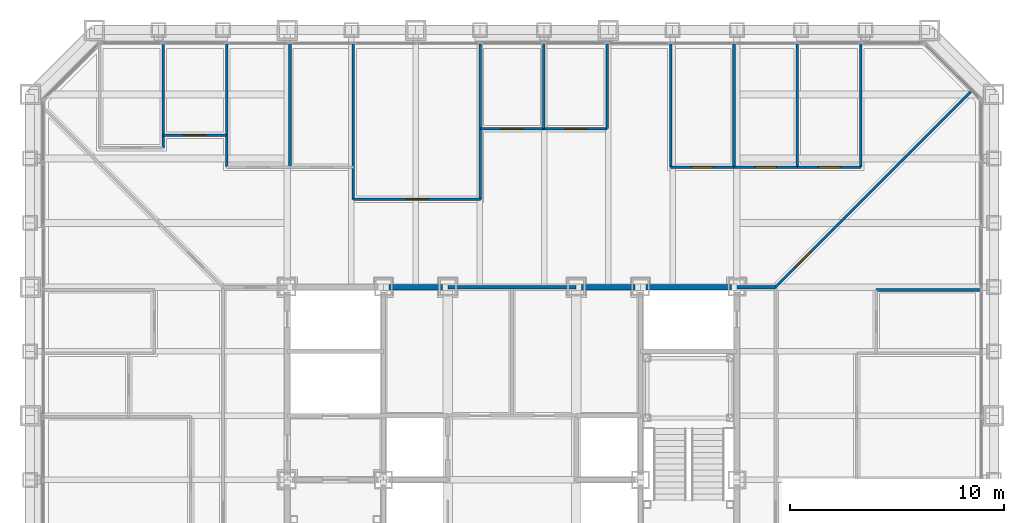
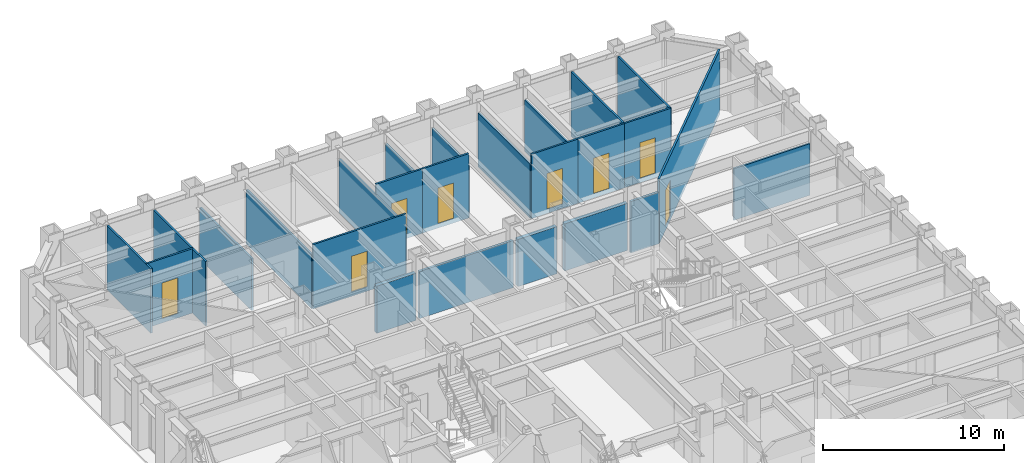
# One storey, part 11 of 17: 25 walls, 8 doors, 8 openings.
"""IFC4 building model written with IfcOpenShell, lengths in metres."""

from ifc_helpers import new_model, si_unit, direction, frame, frame_2d, origin, place, context, subcontext, project, spatial, rectangle, extrude, material, layer, layer_set, type_object, element, fill, save


model = new_model("IFC4")

# Units and contexts
model_context = context("Model", 3, precision=1e-05, world=origin(), true_north=direction((0.0, 1.0)))
body_context = subcontext(model_context, "Body", "Model", "MODEL_VIEW")
ifc_project = project(units=[si_unit("LENGTHUNIT", "METRE"), si_unit("AREAUNIT", "SQUARE_METRE"), si_unit("VOLUMEUNIT", "CUBIC_METRE"), si_unit("PLANEANGLEUNIT", "RADIAN"), si_unit("MASSUNIT", "GRAM", prefix="KILO")], contexts=[model_context])

# Site, building, storey
site_placement = place(None, origin())
site = spatial("IfcSite", under=ifc_project, at=site_placement, CompositionType="ELEMENT")
building_placement = place(site_placement, origin())
building = spatial("IfcBuilding", under=site, at=building_placement, Name="Chuquiago Exchange Tower", CompositionType="ELEMENT")
storey_placement = place(building_placement, frame((0.0, 0.0, 46.800048828125)))
storey = spatial("IfcBuildingStorey", under=building, at=storey_placement, Name="L09", CompositionType="ELEMENT", Elevation=46.800048828125)

# Walls
ifc_material_1 = material(Name="Concrete masonry, fully grouted", Category="masonry")
ifc_layer_1 = layer(ifc_material_1, 0.25)
ifc_layer_set_1 = layer_set([ifc_layer_1], Name="W1 core wall 250")
wall_type_1 = type_object("IfcWallType", Name="W1 core wall 250", PredefinedType="SOLIDWALL", material=ifc_layer_set_1)
for number, where, z_axis, x_axis, name in (
    (1, (16.75, 33.0, 0.0), (0.0, 0.0, 1.0), (1.0, 0.0, 0.0), "CW-L09-11-1"),
    (2, (25.75, 33.0, 0.0), (0.0, 0.0, 1.0), (1.0, 0.0, 0.0), "CW-L09-12-0"),
):
    element("IfcWall", number, at=place(storey_placement, frame(where, z_axis=z_axis, x_axis=x_axis)), inside=storey, type_object=wall_type_1, Name=name, PredefinedType="SOLIDWALL", context=body_context, shape_type="SweptSolid", body=[
        extrude(rectangle(XDim=2.5, YDim=0.25, at=frame_2d((1.25, 0.0))), origin(), (0.0, 0.0, 1.0), 3.181396484375),
    ])
wall_1_placement = place(storey_placement, frame((28.75, 33.0, 0.0), z_axis=(0.0, 0.0, 1.0), x_axis=(1.0, 0.0, 0.0)))
element("IfcWall", 3, at=wall_1_placement, inside=storey, type_object=wall_type_1, Name="CW-L09-12-1", PredefinedType="SOLIDWALL", context=body_context, shape_type="SweptSolid", body=[
    extrude(rectangle(XDim=4.0, YDim=0.25, at=frame_2d((2.0, 0.0))), origin(), (0.0, 0.0, 1.0), 3.181396484375),
])
ifc_material_2 = material(Name="Gypsum board on steel studs, acoustic insulation", Category="steel")
ifc_layer_2 = layer(ifc_material_2, 0.14990234375)
ifc_layer_set_2 = layer_set([ifc_layer_2], Name="W11 corridor wall 150")
wall_type_2 = type_object("IfcWallType", Name="W11 corridor wall 150", PredefinedType="PARTITIONING", material=ifc_layer_set_2)
wall_2_placement = place(storey_placement, frame((33.0, 33.0, -0.300048828125), z_axis=(0.0, 0.0, 1.0), x_axis=(1.0, 0.0, 0.0)))
element("IfcWall", 4, at=wall_2_placement, inside=storey, type_object=wall_type_2, Name="PW-L09-GEN0", PredefinedType="PARTITIONING", context=body_context, shape_type="SweptSolid", body=[
    extrude(rectangle(XDim=1.800048828125, YDim=0.14990234375, at=frame_2d((0.89990234375, 0.0))), origin(), (0.0, 0.0, 1.0), 3.4814453125),
])
ifc_material_3 = material(Name="Gypsum board on steel studs", Category="steel")
ifc_layer_3 = layer(ifc_material_3, 0.14990234375)
ifc_layer_set_3 = layer_set([ifc_layer_3], Name="W3 core partition 150")
wall_type_3 = type_object("IfcWallType", Name="W3 core partition 150", PredefinedType="PARTITIONING", material=ifc_layer_set_3)
wall_3_placement = place(storey_placement, frame((19.5, 33.0, 0.0), z_axis=(0.0, 0.0, 1.0), x_axis=(1.0, 0.0, 0.0)))
element("IfcWall", 5, at=wall_3_placement, inside=storey, type_object=wall_type_3, Name="CW-L09-TB", PredefinedType="PARTITIONING", context=body_context, shape_type="SweptSolid", body=[
    extrude(rectangle(XDim=6.0, YDim=0.14990234375, at=frame_2d((3.0, 0.0))), origin(), (0.0, 0.0, 1.0), 3.181396484375),
])
ifc_material_4 = material(Name="Gypsum board on steel studs", Category="steel")
ifc_layer_4 = layer(ifc_material_4, 0.1201171875)
ifc_layer_set_4 = layer_set([ifc_layer_4], Name="W4 partition 120")
wall_type_4 = type_object("IfcWallType", Name="W4 partition 120", PredefinedType="PARTITIONING", material=ifc_layer_set_4)
wall_4_placement = place(storey_placement, frame((44.342529296875, 32.8662109375, -0.300048828125), z_axis=(0.0, 0.0, 1.0), x_axis=(-1.0, 0.0, 0.0)))
element("IfcWall", 6, at=wall_4_placement, inside=storey, type_object=wall_type_4, Name="PW-L09-E03287", PredefinedType="PARTITIONING", context=body_context, shape_type="SweptSolid", body=[
    extrude(rectangle(XDim=4.842529296875, YDim=0.1201171875, at=frame_2d((2.42138671875, 0.0))), origin(), (0.0, 0.0, 1.0), 3.4814453125),
])
wall_5_placement = place(storey_placement, frame((6.210205078125, 44.342529296875, -0.300048828125), z_axis=(0.0, 0.0, 1.0), x_axis=(0.0, -1.0, 0.0)))
element("IfcWall", 7, at=wall_5_placement, inside=storey, type_object=wall_type_4, Name="PW-L09-N00621", PredefinedType="PARTITIONING", context=body_context, shape_type="SweptSolid", body=[
    extrude(rectangle(XDim=4.842529296875, YDim=0.1201171875, at=frame_2d((2.42138671875, 0.0))), origin(), (0.0, 0.0, 1.0), 4.340087890625),
])
wall_6_placement = place(storey_placement, frame((9.172119140625, 44.342529296875, -0.300048828125), z_axis=(0.0, 0.0, 1.0), x_axis=(0.0, -1.0, 0.0)))
element("IfcWall", 8, at=wall_6_placement, inside=storey, type_object=wall_type_4, Name="PW-L09-N00917", PredefinedType="PARTITIONING", context=body_context, shape_type="SweptSolid", body=[
    extrude(rectangle(XDim=5.742431640625, YDim=0.1201171875, at=frame_2d((2.87109375, 0.0))), origin(), (0.0, 0.0, 1.0), 4.340087890625),
])
wall_7_placement = place(storey_placement, frame((12.1337890625, 44.342529296875, -0.300048828125), z_axis=(0.0, 0.0, 1.0), x_axis=(0.0, -1.0, 0.0)))
element("IfcWall", 9, at=wall_7_placement, inside=storey, type_object=wall_type_4, Name="PW-L09-N01213", PredefinedType="PARTITIONING", context=body_context, shape_type="SweptSolid", body=[
    extrude(rectangle(XDim=5.742431640625, YDim=0.1201171875, at=frame_2d((2.87109375, 0.0))), origin(), (0.0, 0.0, 1.0), 3.4814453125),
])
for number, where, z_axis, x_axis, name in (
    (10, (15.095703125, 44.342529296875, -0.300048828125), (0.0, 0.0, 1.0), (0.0, -1.0, 0.0), "PW-L09-N01510"),
    (11, (21.01904296875, 44.342529296875, -0.300048828125), (0.0, 0.0, 1.0), (0.0, -1.0, 0.0), "PW-L09-N02102"),
):
    element("IfcWall", number, at=place(storey_placement, frame(where, z_axis=z_axis, x_axis=x_axis)), inside=storey, type_object=wall_type_4, Name=name, PredefinedType="PARTITIONING", context=body_context, shape_type="SweptSolid", body=[
        extrude(rectangle(XDim=7.242431640625, YDim=0.1201171875, at=frame_2d((3.62109375, 0.0))), origin(), (0.0, 0.0, 1.0), 3.646484375),
    ])
for number, where, z_axis, x_axis, name in (
    (12, (23.98095703125, 44.342529296875, -0.300048828125), (0.0, 0.0, 1.0), (0.0, -1.0, 0.0), "PW-L09-N02398"),
    (13, (26.942626953125, 44.342529296875, -0.300048828125), (0.0, 0.0, 1.0), (0.0, -1.0, 0.0), "PW-L09-N02694"),
):
    element("IfcWall", number, at=place(storey_placement, frame(where, z_axis=z_axis, x_axis=x_axis)), inside=storey, type_object=wall_type_4, Name=name, PredefinedType="PARTITIONING", context=body_context, shape_type="SweptSolid", body=[
        extrude(rectangle(XDim=3.942626953125, YDim=0.1201171875, at=frame_2d((1.97119140625, 0.0))), origin(), (0.0, 0.0, 1.0), 3.646484375),
    ])
wall_8_placement = place(storey_placement, frame((29.904296875, 44.342529296875, -0.300048828125), z_axis=(0.0, 0.0, 1.0), x_axis=(0.0, -1.0, 0.0)))
element("IfcWall", 14, at=wall_8_placement, inside=storey, type_object=wall_type_4, Name="PW-L09-N02990", PredefinedType="PARTITIONING", context=body_context, shape_type="SweptSolid", body=[
    extrude(rectangle(XDim=5.742431640625, YDim=0.1201171875, at=frame_2d((2.87109375, 0.0))), origin(), (0.0, 0.0, 1.0), 3.646484375),
])
wall_9_placement = place(storey_placement, frame((32.8662109375, 44.342529296875, -0.300048828125), z_axis=(0.0, 0.0, 1.0), x_axis=(0.0, -1.0, 0.0)))
element("IfcWall", 15, at=wall_9_placement, inside=storey, type_object=wall_type_4, Name="PW-L09-N03287", PredefinedType="PARTITIONING", context=body_context, shape_type="SweptSolid", body=[
    extrude(rectangle(XDim=5.742431640625, YDim=0.1201171875, at=frame_2d((2.87109375, 0.0))), origin(), (0.0, 0.0, 1.0), 3.4814453125),
])
for number, where, z_axis, x_axis, name in (
    (16, (35.827880859375, 44.342529296875, -0.300048828125), (0.0, 0.0, 1.0), (0.0, -1.0, 0.0), "PW-L09-N03583"),
    (17, (38.789794921875, 44.342529296875, -0.300048828125), (0.0, 0.0, 1.0), (0.0, -1.0, 0.0), "PW-L09-N03879"),
):
    element("IfcWall", number, at=place(storey_placement, frame(where, z_axis=z_axis, x_axis=x_axis)), inside=storey, type_object=wall_type_4, Name=name, PredefinedType="PARTITIONING", context=body_context, shape_type="SweptSolid", body=[
        extrude(rectangle(XDim=5.742431640625, YDim=0.1201171875, at=frame_2d((2.87109375, 0.0))), origin(), (0.0, 0.0, 1.0), 4.340087890625),
    ])

# Wall, opening, door
wall_10_placement = place(storey_placement, frame((6.210205078125, 40.10009765625, -0.300048828125), z_axis=(0.0, 0.0, 1.0), x_axis=(1.0, 0.0, 0.0)))
wall_10 = element("IfcWall", 18, at=wall_10_placement, inside=storey, type_object=wall_type_4, Name="PW-L09-NF00621", PredefinedType="PARTITIONING", context=body_context, shape_type="SweptSolid", body=[
    extrude(rectangle(XDim=2.9619140625, YDim=0.1201171875, at=frame_2d((1.48095703125, 0.0))), origin(), (0.0, 0.0, 1.0), 4.340087890625),
])
opening_1_placement = place(wall_10_placement, frame((0.98095703125, 0.0, 0.300048828125)))
opening_1 = element("IfcOpeningElement", 19, at=opening_1_placement, cuts=wall_10, Name="Opening L09-035", PredefinedType="OPENING", context=body_context, shape_type="SweptSolid", body=[
    extrude(rectangle(XDim=1.0, YDim=2.39990234375, at=frame_2d((0.5, 1.199951171875))), frame((0.0, 0.070068359375, 0.0), z_axis=(0.0, -1.0, 0.0), x_axis=(1.0, 0.0, 0.0)), (0.0, 0.0, 1.0), 0.14013671875),
])
ifc_material_5 = material(Name="Timber door, laminate faced", Category="wood")
door_type_1 = type_object("IfcDoorType", Name="D9 room door 1000x2400", OperationType="SINGLE_SWING_LEFT", PredefinedType="DOOR", material=ifc_material_5)
door_1_placement = place(opening_1_placement, origin())
door_1 = element("IfcDoor", 20, at=door_1_placement, inside=storey, type_object=door_type_1, Name="Store door", OperationType="SINGLE_SWING_LEFT", OverallHeight=2.39990234375, OverallWidth=1.0, PredefinedType="DOOR", context=body_context, shape_type="SweptSolid", body=[
    extrude(rectangle(XDim=1.0, YDim=2.39990234375, at=frame_2d((0.5, 1.199951171875))), frame((0.0, 0.02490234375, 0.0), z_axis=(0.0, -1.0, 0.0), x_axis=(1.0, 0.0, 0.0)), (0.0, 0.0, 1.0), 0.050048828125),
])
fill(opening_1, door_1)

wall_11_placement = place(storey_placement, frame((15.095703125, 37.10009765625, -0.300048828125), z_axis=(0.0, 0.0, 1.0), x_axis=(1.0, 0.0, 0.0)))
wall_11 = element("IfcWall", 21, at=wall_11_placement, inside=storey, type_object=wall_type_4, Name="PW-L09-NF01510", PredefinedType="PARTITIONING", context=body_context, shape_type="SweptSolid", body=[
    extrude(rectangle(XDim=5.92333984375, YDim=0.1201171875, at=frame_2d((2.961669921875, 0.0))), origin(), (0.0, 0.0, 1.0), 4.340087890625),
])
opening_2_placement = place(wall_11_placement, frame((2.4619140625, 0.0, 0.300048828125)))
opening_2 = element("IfcOpeningElement", 22, at=opening_2_placement, cuts=wall_11, Name="Opening L09-038", PredefinedType="OPENING", context=body_context, shape_type="SweptSolid", body=[
    extrude(rectangle(XDim=1.0, YDim=2.39990234375, at=frame_2d((0.5, 1.199951171875))), frame((0.0, 0.070068359375, 0.0), z_axis=(0.0, -1.0, 0.0), x_axis=(1.0, 0.0, 0.0)), (0.0, 0.0, 1.0), 0.14013671875),
])
door_2_placement = place(opening_2_placement, origin())
door_2 = element("IfcDoor", 23, at=door_2_placement, inside=storey, type_object=door_type_1, Name="Research office door", OperationType="SINGLE_SWING_RIGHT", OverallHeight=2.39990234375, OverallWidth=1.0, PredefinedType="DOOR", context=body_context, shape_type="SweptSolid", body=[
    extrude(rectangle(XDim=1.0, YDim=2.39990234375, at=frame_2d((0.5, 1.199951171875))), frame((0.0, 0.02490234375, 0.0), z_axis=(0.0, -1.0, 0.0), x_axis=(1.0, 0.0, 0.0)), (0.0, 0.0, 1.0), 0.050048828125),
])
fill(opening_2, door_2)

wall_12_placement = place(storey_placement, frame((21.01904296875, 40.39990234375, -0.300048828125), z_axis=(0.0, 0.0, 1.0), x_axis=(1.0, 0.0, 0.0)))
wall_12 = element("IfcWall", 24, at=wall_12_placement, inside=storey, type_object=wall_type_4, Name="PW-L09-NF02102", PredefinedType="PARTITIONING", context=body_context, shape_type="SweptSolid", body=[
    extrude(rectangle(XDim=2.9619140625, YDim=0.1201171875, at=frame_2d((1.48095703125, 0.0))), origin(), (0.0, 0.0, 1.0), 4.340087890625),
])
opening_3_placement = place(wall_12_placement, frame((0.98095703125, 0.0, 0.300048828125)))
opening_3 = element("IfcOpeningElement", 25, at=opening_3_placement, cuts=wall_12, Name="Opening L09-039", PredefinedType="OPENING", context=body_context, shape_type="SweptSolid", body=[
    extrude(rectangle(XDim=1.0, YDim=2.39990234375, at=frame_2d((0.5, 1.199951171875))), frame((0.0, 0.070068359375, 0.0), z_axis=(0.0, -1.0, 0.0), x_axis=(1.0, 0.0, 0.0)), (0.0, 0.0, 1.0), 0.14013671875),
])
ifc_material_6 = material(Name="Timber frame door, full height glazed panel", Category="wood")
door_type_2 = type_object("IfcDoorType", Name="D14 glazed meeting room door 1000x2400", OperationType="SINGLE_SWING_LEFT", PredefinedType="DOOR", material=ifc_material_6)
door_3_placement = place(opening_3_placement, origin())
door_3 = element("IfcDoor", 26, at=door_3_placement, inside=storey, type_object=door_type_2, Name="Focus room door", OperationType="SINGLE_SWING_RIGHT", OverallHeight=2.39990234375, OverallWidth=1.0, PredefinedType="DOOR", context=body_context, shape_type="SweptSolid", body=[
    extrude(rectangle(XDim=1.0, YDim=2.39990234375, at=frame_2d((0.5, 1.199951171875))), frame((0.0, 0.02490234375, 0.0), z_axis=(0.0, -1.0, 0.0), x_axis=(1.0, 0.0, 0.0)), (0.0, 0.0, 1.0), 0.050048828125),
])
fill(opening_3, door_3)

wall_13_placement = place(storey_placement, frame((23.98095703125, 40.39990234375, -0.300048828125), z_axis=(0.0, 0.0, 1.0), x_axis=(1.0, 0.0, 0.0)))
wall_13 = element("IfcWall", 27, at=wall_13_placement, inside=storey, type_object=wall_type_4, Name="PW-L09-NF02398", PredefinedType="PARTITIONING", context=body_context, shape_type="SweptSolid", body=[
    extrude(rectangle(XDim=2.961669921875, YDim=0.1201171875, at=frame_2d((1.48095703125, 0.0))), origin(), (0.0, 0.0, 1.0), 4.340087890625),
])
opening_4_placement = place(wall_13_placement, frame((0.98095703125, 0.0, 0.300048828125)))
opening_4 = element("IfcOpeningElement", 28, at=opening_4_placement, cuts=wall_13, Name="Opening L09-040", PredefinedType="OPENING", context=body_context, shape_type="SweptSolid", body=[
    extrude(rectangle(XDim=1.0, YDim=2.39990234375, at=frame_2d((0.5, 1.199951171875))), frame((0.0, 0.070068359375, 0.0), z_axis=(0.0, -1.0, 0.0), x_axis=(1.0, 0.0, 0.0)), (0.0, 0.0, 1.0), 0.14013671875),
])
door_4_placement = place(opening_4_placement, origin())
door_4 = element("IfcDoor", 29, at=door_4_placement, inside=storey, type_object=door_type_2, Name="Focus room door", OperationType="SINGLE_SWING_RIGHT", OverallHeight=2.39990234375, OverallWidth=1.0, PredefinedType="DOOR", context=body_context, shape_type="SweptSolid", body=[
    extrude(rectangle(XDim=1.0, YDim=2.39990234375, at=frame_2d((0.5, 1.199951171875))), frame((0.0, 0.02490234375, 0.0), z_axis=(0.0, -1.0, 0.0), x_axis=(1.0, 0.0, 0.0)), (0.0, 0.0, 1.0), 0.050048828125),
])
fill(opening_4, door_4)

wall_14_placement = place(storey_placement, frame((29.904296875, 38.60009765625, -0.300048828125), z_axis=(0.0, 0.0, 1.0), x_axis=(1.0, 0.0, 0.0)))
wall_14 = element("IfcWall", 30, at=wall_14_placement, inside=storey, type_object=wall_type_4, Name="PW-L09-NF02990", PredefinedType="PARTITIONING", context=body_context, shape_type="SweptSolid", body=[
    extrude(rectangle(XDim=2.9619140625, YDim=0.1201171875, at=frame_2d((1.48095703125, 0.0))), origin(), (0.0, 0.0, 1.0), 4.340087890625),
])
opening_5_placement = place(wall_14_placement, frame((0.98095703125, 0.0, 0.300048828125)))
opening_5 = element("IfcOpeningElement", 31, at=opening_5_placement, cuts=wall_14, Name="Opening L09-041", PredefinedType="OPENING", context=body_context, shape_type="SweptSolid", body=[
    extrude(rectangle(XDim=1.0, YDim=2.39990234375, at=frame_2d((0.5, 1.199951171875))), frame((0.0, 0.070068359375, 0.0), z_axis=(0.0, -1.0, 0.0), x_axis=(1.0, 0.0, 0.0)), (0.0, 0.0, 1.0), 0.14013671875),
])
door_5_placement = place(opening_5_placement, origin())
door_5 = element("IfcDoor", 32, at=door_5_placement, inside=storey, type_object=door_type_1, Name="Compliance office door", OperationType="SINGLE_SWING_LEFT", OverallHeight=2.39990234375, OverallWidth=1.0, PredefinedType="DOOR", context=body_context, shape_type="SweptSolid", body=[
    extrude(rectangle(XDim=1.0, YDim=2.39990234375, at=frame_2d((0.5, 1.199951171875))), frame((0.0, 0.02490234375, 0.0), z_axis=(0.0, -1.0, 0.0), x_axis=(1.0, 0.0, 0.0)), (0.0, 0.0, 1.0), 0.050048828125),
])
fill(opening_5, door_5)

wall_15_placement = place(storey_placement, frame((32.8662109375, 38.60009765625, -0.300048828125), z_axis=(0.0, 0.0, 1.0), x_axis=(1.0, 0.0, 0.0)))
wall_15 = element("IfcWall", 33, at=wall_15_placement, inside=storey, type_object=wall_type_4, Name="PW-L09-NF03287", PredefinedType="PARTITIONING", context=body_context, shape_type="SweptSolid", body=[
    extrude(rectangle(XDim=2.961669921875, YDim=0.1201171875, at=frame_2d((1.48095703125, 0.0))), origin(), (0.0, 0.0, 1.0), 4.340087890625),
])
opening_6_placement = place(wall_15_placement, frame((0.98095703125, 0.0, 0.300048828125)))
opening_6 = element("IfcOpeningElement", 34, at=opening_6_placement, cuts=wall_15, Name="Opening L09-042", PredefinedType="OPENING", context=body_context, shape_type="SweptSolid", body=[
    extrude(rectangle(XDim=1.0, YDim=2.39990234375, at=frame_2d((0.5, 1.199951171875))), frame((0.0, 0.070068359375, 0.0), z_axis=(0.0, -1.0, 0.0), x_axis=(1.0, 0.0, 0.0)), (0.0, 0.0, 1.0), 0.14013671875),
])
door_6_placement = place(opening_6_placement, origin())
door_6 = element("IfcDoor", 35, at=door_6_placement, inside=storey, type_object=door_type_1, Name="Compliance office door", OperationType="SINGLE_SWING_RIGHT", OverallHeight=2.39990234375, OverallWidth=1.0, PredefinedType="DOOR", context=body_context, shape_type="SweptSolid", body=[
    extrude(rectangle(XDim=1.0, YDim=2.39990234375, at=frame_2d((0.5, 1.199951171875))), frame((0.0, 0.02490234375, 0.0), z_axis=(0.0, -1.0, 0.0), x_axis=(1.0, 0.0, 0.0)), (0.0, 0.0, 1.0), 0.050048828125),
])
fill(opening_6, door_6)

wall_16_placement = place(storey_placement, frame((35.827880859375, 38.60009765625, -0.300048828125), z_axis=(0.0, 0.0, 1.0), x_axis=(1.0, 0.0, 0.0)))
wall_16 = element("IfcWall", 36, at=wall_16_placement, inside=storey, type_object=wall_type_4, Name="PW-L09-NF03583", PredefinedType="PARTITIONING", context=body_context, shape_type="SweptSolid", body=[
    extrude(rectangle(XDim=2.9619140625, YDim=0.1201171875, at=frame_2d((1.48095703125, 0.0))), origin(), (0.0, 0.0, 1.0), 4.340087890625),
])
opening_7_placement = place(wall_16_placement, frame((0.98095703125, 0.0, 0.300048828125)))
opening_7 = element("IfcOpeningElement", 37, at=opening_7_placement, cuts=wall_16, Name="Opening L09-043", PredefinedType="OPENING", context=body_context, shape_type="SweptSolid", body=[
    extrude(rectangle(XDim=1.0, YDim=2.39990234375, at=frame_2d((0.5, 1.199951171875))), frame((0.0, 0.070068359375, 0.0), z_axis=(0.0, -1.0, 0.0), x_axis=(1.0, 0.0, 0.0)), (0.0, 0.0, 1.0), 0.14013671875),
])
door_7_placement = place(opening_7_placement, origin())
door_7 = element("IfcDoor", 38, at=door_7_placement, inside=storey, type_object=door_type_1, Name="Office door", OperationType="SINGLE_SWING_LEFT", OverallHeight=2.39990234375, OverallWidth=1.0, PredefinedType="DOOR", context=body_context, shape_type="SweptSolid", body=[
    extrude(rectangle(XDim=1.0, YDim=2.39990234375, at=frame_2d((0.5, 1.199951171875))), frame((0.0, 0.02490234375, 0.0), z_axis=(0.0, -1.0, 0.0), x_axis=(1.0, 0.0, 0.0)), (0.0, 0.0, 1.0), 0.050048828125),
])
fill(opening_7, door_7)

wall_17_placement = place(storey_placement, frame((34.800048828125, 33.0, -0.300048828125), z_axis=(0.0, 0.0, 1.0), x_axis=(0.707106781187, 0.707106781187, 0.0)))
wall_17 = element("IfcWall", 39, at=wall_17_placement, inside=storey, type_object=wall_type_4, Name="PW-L09-QNE", PredefinedType="PARTITIONING", context=body_context, shape_type="SweptSolid", body=[
    extrude(rectangle(XDim=12.9443359375, YDim=0.1201171875, at=frame_2d((6.47216796875, 0.0))), origin(), (0.0, 0.0, 1.0), 4.340087890625),
])
opening_8_placement = place(wall_17_placement, frame((1.300048828125, 0.0, 0.300048828125)))
opening_8 = element("IfcOpeningElement", 40, at=opening_8_placement, cuts=wall_17, Name="Opening L09-054", PredefinedType="OPENING", context=body_context, shape_type="SweptSolid", body=[
    extrude(rectangle(XDim=1.0, YDim=2.39990234375, at=frame_2d((0.5, 1.199951171875))), frame((0.0, 0.070068359375, 0.0), z_axis=(0.0, -1.0, 0.0), x_axis=(1.0, 0.0, 0.0)), (0.0, 0.0, 1.0), 0.14013671875),
])
door_8_placement = place(opening_8_placement, frame((1.0, 0.0, 0.0), z_axis=(0.0, 0.0, 1.0), x_axis=(-1.0, 0.0, 0.0)))
door_8 = element("IfcDoor", 41, at=door_8_placement, inside=storey, type_object=door_type_1, Name="Team area door", OperationType="SINGLE_SWING_RIGHT", OverallHeight=2.39990234375, OverallWidth=1.0, PredefinedType="DOOR", context=body_context, shape_type="SweptSolid", body=[
    extrude(rectangle(XDim=1.0, YDim=2.39990234375, at=frame_2d((0.5, 1.199951171875))), frame((0.0, 0.02490234375, 0.0), z_axis=(0.0, -1.0, 0.0), x_axis=(1.0, 0.0, 0.0)), (0.0, 0.0, 1.0), 0.050048828125),
])
fill(opening_8, door_8)

save(model, "model.ifc")
